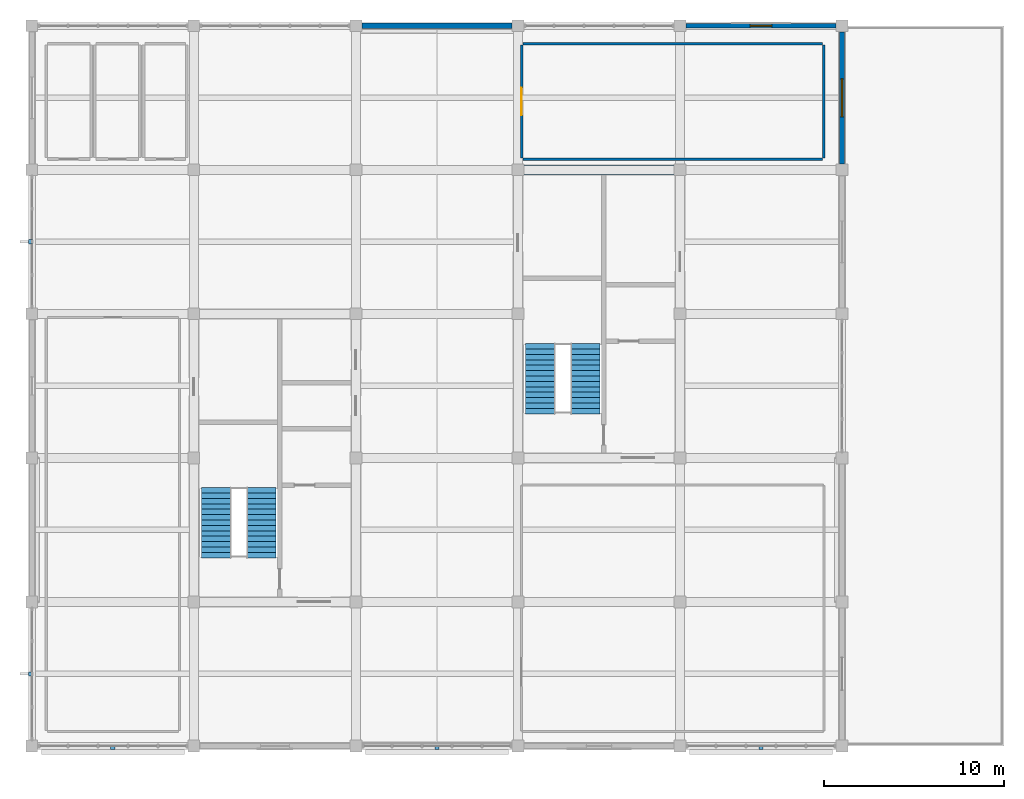
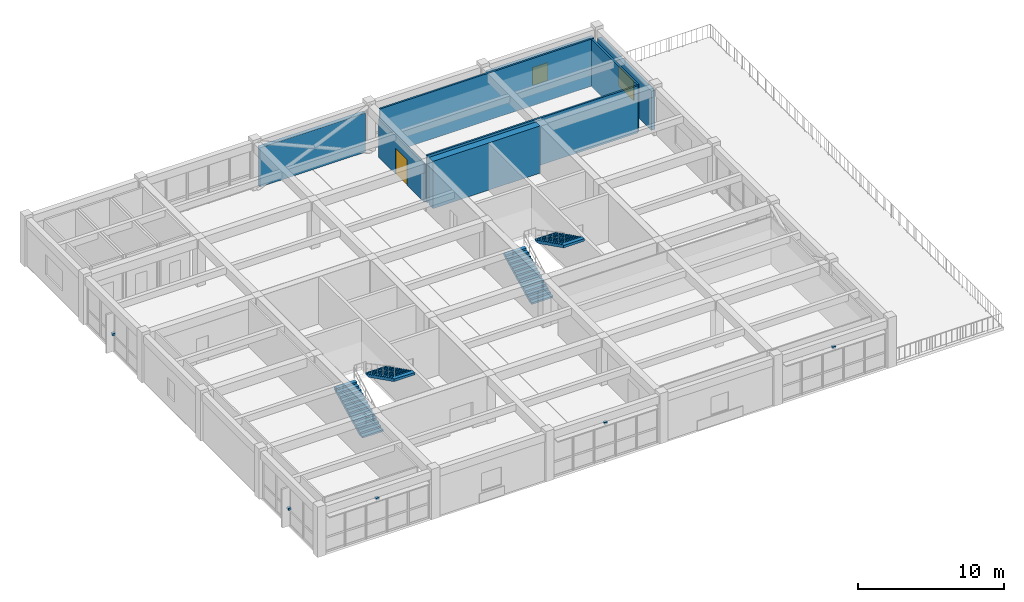
# One storey, part 10 of 12: 8 walls, 5 discrete accessories, 4 stair flights, 2 windows, 1 door, 3 openings, 2 elements without a shape of their own.
"""IFC4 building model written with IfcOpenShell, lengths in metres."""

from ifc_helpers import new_model, si_unit, direction, frame, frame_2d, origin, origin_2d, place, context, subcontext, project, spatial, polyline, rectangle, outline, extrude, material, layer, layer_set, type_object, element, fill, aggregate, save


model = new_model("IFC4")

# Units and contexts
model_context = context("Model", 3, precision=1e-05, world=origin(), true_north=direction((0.0, 1.0)))
body_context = subcontext(model_context, "Body", "Model", "MODEL_VIEW")
ifc_project = project(units=[si_unit("LENGTHUNIT", "METRE"), si_unit("AREAUNIT", "SQUARE_METRE"), si_unit("VOLUMEUNIT", "CUBIC_METRE"), si_unit("PLANEANGLEUNIT", "RADIAN"), si_unit("MASSUNIT", "GRAM", prefix="KILO")], contexts=[model_context])

# Site, building, storey
site_placement = place(None, origin())
site = spatial("IfcSite", under=ifc_project, at=site_placement, CompositionType="ELEMENT")
building_placement = place(site_placement, origin())
building = spatial("IfcBuilding", under=site, at=building_placement, Name="Zaverband Oceanarium and Marine Research Institute", CompositionType="ELEMENT")
storey_placement = place(building_placement, frame((0.0, 0.0, 68.699951171875)))
storey = spatial("IfcBuildingStorey", under=building, at=storey_placement, Name="L17", CompositionType="ELEMENT", Elevation=68.699951171875)

# Wall
ifc_material_1 = material(Name="Concrete C50/60", Category="concrete")
ifc_layer_1 = layer(ifc_material_1, 0.550048828125, Name="Concrete C50/60")
ifc_layer_set_1 = layer_set([ifc_layer_1], Name="Concrete C50/60")
wall_type_1 = type_object("IfcWallType", Name="CW-01", PredefinedType="SHEAR", material=ifc_layer_set_1)
wall_1_placement = place(storey_placement, frame((36.27490234375, 104.0, 0.0), z_axis=(0.0, 0.0, 1.0), x_axis=(1.0, 0.0, 0.0)))
element("IfcWall", 1, at=wall_1_placement, inside=storey, type_object=wall_type_1, Name="Structural shear wall CW-01", PredefinedType="SHEAR", context=body_context, shape_type="SweptSolid", body=[
    extrude(rectangle(XDim=8.4501953125, YDim=0.550048828125, at=frame_2d((4.22509765625, 0.0))), origin(), (0.0, 0.0, 1.0), 3.93994140625),
])

# Wall, opening, window
ifc_material_2 = material(Name="Concrete C40/50 precast", Category="concrete")
ifc_layer_2 = layer(ifc_material_2, 0.264892578125, Name="Concrete C40/50 precast")
ifc_layer_set_2 = layer_set([ifc_layer_2], Name="Concrete C40/50 precast")
wall_type_2 = type_object("IfcWallType", Name="EW-265", PredefinedType="STANDARD", material=ifc_layer_set_2)
wall_2_placement = place(storey_placement, frame((45.330078125, 112.0, 0.0), z_axis=(0.0, 0.0, 1.0), x_axis=(1.0, 0.0, 0.0)))
wall_2 = element("IfcWall", 2, at=wall_2_placement, inside=storey, type_object=wall_type_2, Name="Exterior infill wall EW-265", PredefinedType="STANDARD", context=body_context, shape_type="SweptSolid", body=[
    extrude(rectangle(XDim=8.33984375, YDim=0.264892578125, at=frame_2d((4.169921875, 0.0))), origin(), (0.0, 0.0, 1.0), 3.27001953125),
])
opening_1_placement = place(wall_2_placement, frame((3.570068359375, 0.0, 0.85009765625)))
opening_1 = element("IfcOpeningElement", 3, at=opening_1_placement, cuts=wall_2, Name="Opening WN-1200x1500", PredefinedType="OPENING", context=body_context, shape_type="SweptSolid", body=[
    extrude(rectangle(XDim=1.199951171875, YDim=1.5, at=frame_2d((0.60009765625, 0.75))), frame((0.0, 0.14453125, 0.0), z_axis=(0.0, -1.0, 0.0), x_axis=(1.0, 0.0, 0.0)), (0.0, 0.0, 1.0), 0.288818359375),
])
ifc_material_3 = material(Name="Thermally broken anodized aluminium and solar-control glass", Category="aluminium")
window_type_1 = type_object("IfcWindowType", Name="WN-1200x1500", PartitioningType="SINGLE_PANEL", PredefinedType="WINDOW", material=ifc_material_3)
window_1_placement = place(opening_1_placement, origin())
window_1 = element("IfcWindow", 4, at=window_1_placement, inside=storey, type_object=window_type_1, Name="Fixed / casement exterior window WN-1200x1500", OverallHeight=1.5, OverallWidth=1.199951171875, PartitioningType="SINGLE_PANEL", PredefinedType="WINDOW", context=body_context, shape_type="SweptSolid", body=[
    extrude(rectangle(XDim=1.199951171875, YDim=1.5, at=frame_2d((0.60009765625, 0.75))), frame((0.0, 0.030029296875, 0.0), z_axis=(0.0, -1.0, 0.0), x_axis=(1.0, 0.0, 0.0)), (0.0, 0.0, 1.0), 0.06005859375),
])
fill(opening_1, window_1)

# Wall
ifc_layer_3 = layer(ifc_material_2, 0.2900390625, Name="Concrete C40/50 precast")
ifc_layer_set_3 = layer_set([ifc_layer_3], Name="Concrete C40/50 precast")
wall_type_3 = type_object("IfcWallType", Name="EW-290", PredefinedType="STANDARD", material=ifc_layer_set_3)
wall_3_placement = place(storey_placement, frame((27.330078125, 112.0, 0.0), z_axis=(0.0, 0.0, 1.0), x_axis=(1.0, 0.0, 0.0)))
element("IfcWall", 5, at=wall_3_placement, inside=storey, type_object=wall_type_3, Name="Exterior infill wall EW-290", PredefinedType="STANDARD", context=body_context, shape_type="SweptSolid", body=[
    extrude(rectangle(XDim=8.33984375, YDim=0.2900390625, at=frame_2d((4.169921875, 0.0))), origin(), (0.0, 0.0, 1.0), 3.27001953125),
])

# Wall, opening, window
wall_4_placement = place(storey_placement, frame((54.0, 104.330078125, 0.0), z_axis=(0.0, 0.0, 1.0), x_axis=(0.0, 1.0, 0.0)))
wall_4 = element("IfcWall", 6, at=wall_4_placement, inside=storey, type_object=wall_type_3, Name="Exterior infill wall EW-290", PredefinedType="STANDARD", context=body_context, shape_type="SweptSolid", body=[
    extrude(rectangle(XDim=7.33984375, YDim=0.2900390625, at=frame_2d((3.669921875, 0.0))), origin(), (0.0, 0.0, 1.0), 3.27001953125),
])
opening_2_placement = place(wall_4_placement, frame((2.6201171875, 0.0, 0.85009765625)))
opening_2 = element("IfcOpeningElement", 7, at=opening_2_placement, cuts=wall_4, Name="Opening WN-2100x1650", PredefinedType="OPENING", context=body_context, shape_type="SweptSolid", body=[
    extrude(rectangle(XDim=2.10009765625, YDim=1.64990234375, at=frame_2d((1.050048828125, 0.824951171875))), frame((0.0, 0.156982421875, 0.0), z_axis=(0.0, -1.0, 0.0), x_axis=(1.0, 0.0, 0.0)), (0.0, 0.0, 1.0), 0.31396484375),
])
window_type_2 = type_object("IfcWindowType", Name="WN-2100x1650", PartitioningType="SINGLE_PANEL", PredefinedType="WINDOW", material=ifc_material_3)
window_2_placement = place(opening_2_placement, origin())
window_2 = element("IfcWindow", 8, at=window_2_placement, inside=storey, type_object=window_type_2, Name="Fixed / casement exterior window WN-2100x1650", OverallHeight=1.64990234375, OverallWidth=2.10009765625, PartitioningType="SINGLE_PANEL", PredefinedType="WINDOW", context=body_context, shape_type="SweptSolid", body=[
    extrude(rectangle(XDim=2.10009765625, YDim=1.64990234375, at=frame_2d((1.050048828125, 0.824951171875))), frame((0.0, 0.030029296875, 0.0), z_axis=(0.0, -1.0, 0.0), x_axis=(1.0, 0.0, 0.0)), (0.0, 0.0, 1.0), 0.06005859375),
])
fill(opening_2, window_2)

# Walls
ifc_material_4 = material(Name="Acoustic classroom partition")
ifc_layer_4 = layer(ifc_material_4, 0.139892578125, Name="Acoustic classroom partition")
ifc_layer_set_4 = layer_set([ifc_layer_4], Name="Acoustic classroom partition")
wall_type_4 = type_object("IfcWallType", Name="PT-140-CL", PredefinedType="PARTITIONING", material=ifc_layer_set_4)
for number, where, z_axis, x_axis, name in (
    (9, (36.27001953125, 104.60009765625, 0.0), (0.0, 0.0, 1.0), (1.0, 0.0, 0.0), "Acoustic partition PT-140-CL"),
    (10, (36.27001953125, 111.0, 0.0), (0.0, 0.0, 1.0), (1.0, 0.0, 0.0), "Acoustic partition PT-140-CL"),
):
    element("IfcWall", number, at=place(storey_placement, frame(where, z_axis=z_axis, x_axis=x_axis)), inside=storey, type_object=wall_type_4, Name=name, PredefinedType="PARTITIONING", context=body_context, shape_type="SweptSolid", body=[
        extrude(rectangle(XDim=16.659912109375, YDim=0.139892578125, at=frame_2d((8.330078125, 0.0))), origin(), (0.0, 0.0, 1.0), 3.93994140625),
    ])

# Wall, opening, door
wall_5_placement = place(storey_placement, frame((36.199951171875, 104.669921875, 0.0), z_axis=(0.0, 0.0, 1.0), x_axis=(0.0, 1.0, 0.0)))
wall_5 = element("IfcWall", 11, at=wall_5_placement, inside=storey, type_object=wall_type_4, Name="Acoustic partition PT-140-CL", PredefinedType="PARTITIONING", context=body_context, shape_type="SweptSolid", body=[
    extrude(rectangle(XDim=6.260009765625, YDim=0.139892578125, at=frame_2d((3.1298828125, 0.0))), origin(), (0.0, 0.0, 1.0), 3.18994140625),
])
opening_3_placement = place(wall_5_placement, frame((2.3701171875, 0.0, 0.0)))
opening_3 = element("IfcOpeningElement", 12, at=opening_3_placement, cuts=wall_5, Name="Opening ID-1520x2150", PredefinedType="OPENING", context=body_context, shape_type="SweptSolid", body=[
    extrude(rectangle(XDim=1.52001953125, YDim=2.14990234375, at=frame_2d((0.760009765625, 1.074951171875))), frame((0.0, 0.08203125, 0.0), z_axis=(0.0, -1.0, 0.0), x_axis=(1.0, 0.0, 0.0)), (0.0, 0.0, 1.0), 0.163818359375),
])
ifc_material_5 = material(Name="Hardwood-veneered acoustic timber", Category="wood")
door_type = type_object("IfcDoorType", Name="ID-1520x2150", OperationType="DOUBLE_DOOR_SINGLE_SWING", PredefinedType="DOOR", material=ifc_material_5)
door_placement = place(opening_3_placement, origin())
door = element("IfcDoor", 13, at=door_placement, inside=storey, type_object=door_type, Name="Seminar double swing door ID-1520x2150", OperationType="DOUBLE_DOOR_SINGLE_SWING", OverallHeight=2.14990234375, OverallWidth=1.52001953125, PredefinedType="DOOR", context=body_context, shape_type="SweptSolid", body=[
    extrude(rectangle(XDim=1.52001953125, YDim=2.14990234375, at=frame_2d((0.760009765625, 1.074951171875))), frame((0.0, 0.02490234375, 0.0), z_axis=(0.0, -1.0, 0.0), x_axis=(1.0, 0.0, 0.0)), (0.0, 0.0, 1.0), 0.050048828125),
])
fill(opening_3, door)

# Wall
wall_6_placement = place(storey_placement, frame((53.0, 104.669921875, 0.0), z_axis=(0.0, 0.0, 1.0), x_axis=(0.0, 1.0, 0.0)))
element("IfcWall", 14, at=wall_6_placement, inside=storey, type_object=wall_type_4, Name="Acoustic partition PT-140-CL", PredefinedType="PARTITIONING", context=body_context, shape_type="SweptSolid", body=[
    extrude(rectangle(XDim=6.260009765625, YDim=0.139892578125, at=frame_2d((3.1298828125, 0.0))), origin(), (0.0, 0.0, 1.0), 3.93994140625),
])

# Stair, stair flights
ifc_material_6 = material(Name="Concrete C40/50", Category="concrete")
stair_type = type_object("IfcStairType", Name="STR-TWR-1650-4200", PredefinedType="HALF_TURN_STAIR", material=ifc_material_6)
stair_1_placement = place(storey_placement, origin())
stair_1 = element("IfcStair", 15, at=stair_1_placement, inside=storey, type_object=stair_type, Name="Exit Stair ST-01 (L17)", PredefinedType="HALF_TURN_STAIR")
stair_flight_type = type_object("IfcStairFlightType", Name="STR-TWR-1650-4200-FL", PredefinedType="STRAIGHT", material=ifc_material_6)
stair_flight_1_placement = place(storey_placement, frame((19.2548828125, 82.449951171875, 0.0), z_axis=(0.0, 0.0, 1.0), x_axis=(0.0, 1.0, 0.0)))
stair_flight_1 = element("IfcStairFlight", 16, at=stair_flight_1_placement, type_object=stair_flight_type, Name="Reinforced concrete stair flight ST-01-F1", NumberOfRisers=14, NumberOfTreads=13, PredefinedType="STRAIGHT", RiserHeight=0.15, TreadLength=0.3, context=body_context, shape_type="SweptSolid", body=[
    extrude(outline(polyline([(0.0, 0.0), (0.0, 0.14990234375), (0.300048828125, 0.14990234375), (0.300048828125, 0.300048828125), (0.60009765625, 0.300048828125), (0.60009765625, 0.449951171875), (0.89990234375, 0.449951171875), (0.89990234375, 0.60009765625), (1.199951171875, 0.60009765625), (1.199951171875, 0.75), (1.5, 0.75), (1.5, 0.89990234375), (1.800048828125, 0.89990234375), (1.800048828125, 1.050048828125), (2.10009765625, 1.050048828125), (2.10009765625, 1.199951171875), (2.39990234375, 1.199951171875), (2.39990234375, 1.35009765625), (2.699951171875, 1.35009765625), (2.699951171875, 1.5), (3.0, 1.5), (3.0, 1.64990234375), (3.300048828125, 1.64990234375), (3.300048828125, 1.800048828125), (3.60009765625, 1.800048828125), (3.60009765625, 1.949951171875), (3.89990234375, 1.949951171875), (3.89990234375, 2.10009765625), (3.89990234375, 1.748779296875), (0.40234375, 0.0), (0.0, 0.0)])), frame((0.0, 0.824951171875, 0.0), z_axis=(0.0, -1.0, 0.0), x_axis=(1.0, 0.0, 0.0)), (0.0, 0.0, 1.0), 1.64990234375),
])
stair_flight_2_placement = place(storey_placement, frame((21.7451171875, 86.35009765625, 2.10009765625), z_axis=(0.0, 0.0, 1.0), x_axis=(0.0, -1.0, 0.0)))
stair_flight_2 = element("IfcStairFlight", 17, at=stair_flight_2_placement, type_object=stair_flight_type, Name="Reinforced concrete stair flight ST-01-F2", NumberOfRisers=14, NumberOfTreads=13, PredefinedType="STRAIGHT", RiserHeight=0.15, TreadLength=0.3, context=body_context, shape_type="SweptSolid", body=[
    extrude(outline(polyline([(0.0, 0.0), (0.0, 0.14990234375), (0.300048828125, 0.14990234375), (0.300048828125, 0.300048828125), (0.60009765625, 0.300048828125), (0.60009765625, 0.449951171875), (0.89990234375, 0.449951171875), (0.89990234375, 0.60009765625), (1.199951171875, 0.60009765625), (1.199951171875, 0.75), (1.5, 0.75), (1.5, 0.89990234375), (1.800048828125, 0.89990234375), (1.800048828125, 1.050048828125), (2.10009765625, 1.050048828125), (2.10009765625, 1.199951171875), (2.39990234375, 1.199951171875), (2.39990234375, 1.35009765625), (2.699951171875, 1.35009765625), (2.699951171875, 1.5), (3.0, 1.5), (3.0, 1.64990234375), (3.300048828125, 1.64990234375), (3.300048828125, 1.800048828125), (3.60009765625, 1.800048828125), (3.60009765625, 1.949951171875), (3.89990234375, 1.949951171875), (3.89990234375, 2.10009765625), (3.89990234375, 1.748779296875), (0.40234375, 0.0), (0.0, 0.0)])), frame((0.0, 0.824951171875, 0.0), z_axis=(0.0, -1.0, 0.0), x_axis=(1.0, 0.0, 0.0)), (0.0, 0.0, 1.0), 1.64990234375),
])
aggregate(stair_1, [stair_flight_1, stair_flight_2])

stair_2_placement = place(storey_placement, origin())
stair_2 = element("IfcStair", 18, at=stair_2_placement, inside=storey, type_object=stair_type, Name="Exit Stair ST-02 (L17)", PredefinedType="HALF_TURN_STAIR")
stair_flight_3_placement = place(storey_placement, frame((37.2548828125, 90.449951171875, 0.0), z_axis=(0.0, 0.0, 1.0), x_axis=(0.0, 1.0, 0.0)))
stair_flight_3 = element("IfcStairFlight", 19, at=stair_flight_3_placement, type_object=stair_flight_type, Name="Reinforced concrete stair flight ST-02-F1", NumberOfRisers=14, NumberOfTreads=13, PredefinedType="STRAIGHT", RiserHeight=0.15, TreadLength=0.3, context=body_context, shape_type="SweptSolid", body=[
    extrude(outline(polyline([(0.0, 0.0), (0.0, 0.14990234375), (0.300048828125, 0.14990234375), (0.300048828125, 0.300048828125), (0.60009765625, 0.300048828125), (0.60009765625, 0.449951171875), (0.89990234375, 0.449951171875), (0.89990234375, 0.60009765625), (1.199951171875, 0.60009765625), (1.199951171875, 0.75), (1.5, 0.75), (1.5, 0.89990234375), (1.800048828125, 0.89990234375), (1.800048828125, 1.050048828125), (2.10009765625, 1.050048828125), (2.10009765625, 1.199951171875), (2.39990234375, 1.199951171875), (2.39990234375, 1.35009765625), (2.699951171875, 1.35009765625), (2.699951171875, 1.5), (3.0, 1.5), (3.0, 1.64990234375), (3.300048828125, 1.64990234375), (3.300048828125, 1.800048828125), (3.60009765625, 1.800048828125), (3.60009765625, 1.949951171875), (3.89990234375, 1.949951171875), (3.89990234375, 2.10009765625), (3.89990234375, 1.748779296875), (0.40234375, 0.0), (0.0, 0.0)])), frame((0.0, 0.824951171875, 0.0), z_axis=(0.0, -1.0, 0.0), x_axis=(1.0, 0.0, 0.0)), (0.0, 0.0, 1.0), 1.64990234375),
])
stair_flight_4_placement = place(storey_placement, frame((39.7451171875, 94.35009765625, 2.10009765625), z_axis=(0.0, 0.0, 1.0), x_axis=(0.0, -1.0, 0.0)))
stair_flight_4 = element("IfcStairFlight", 20, at=stair_flight_4_placement, type_object=stair_flight_type, Name="Reinforced concrete stair flight ST-02-F2", NumberOfRisers=14, NumberOfTreads=13, PredefinedType="STRAIGHT", RiserHeight=0.15, TreadLength=0.3, context=body_context, shape_type="SweptSolid", body=[
    extrude(outline(polyline([(0.0, 0.0), (0.0, 0.14990234375), (0.300048828125, 0.14990234375), (0.300048828125, 0.300048828125), (0.60009765625, 0.300048828125), (0.60009765625, 0.449951171875), (0.89990234375, 0.449951171875), (0.89990234375, 0.60009765625), (1.199951171875, 0.60009765625), (1.199951171875, 0.75), (1.5, 0.75), (1.5, 0.89990234375), (1.800048828125, 0.89990234375), (1.800048828125, 1.050048828125), (2.10009765625, 1.050048828125), (2.10009765625, 1.199951171875), (2.39990234375, 1.199951171875), (2.39990234375, 1.35009765625), (2.699951171875, 1.35009765625), (2.699951171875, 1.5), (3.0, 1.5), (3.0, 1.64990234375), (3.300048828125, 1.64990234375), (3.300048828125, 1.800048828125), (3.60009765625, 1.800048828125), (3.60009765625, 1.949951171875), (3.89990234375, 1.949951171875), (3.89990234375, 2.10009765625), (3.89990234375, 1.748779296875), (0.40234375, 0.0), (0.0, 0.0)])), frame((0.0, 0.824951171875, 0.0), z_axis=(0.0, -1.0, 0.0), x_axis=(1.0, 0.0, 0.0)), (0.0, 0.0, 1.0), 1.64990234375),
])
aggregate(stair_2, [stair_flight_3, stair_flight_4])

# Discrete accessories
ifc_material_7 = material(Name="Steel S355", Category="steel")
ifc_layer_5 = layer(ifc_material_7, 0.179931640625, Name="Steel S355")
ifc_layer_set_5 = layer_set([ifc_layer_5], Name="Steel S355")
discrete_accessory_type = type_object("IfcDiscreteAccessoryType", Name="BRK-STL-200", PredefinedType="BRACKET", material=ifc_layer_set_5)
for number, where, z_axis, x_axis, name in (
    (21, (13.5, 71.919921875, 3.0400390625), (0.0, 0.0, 1.0), (1.0, 0.0, 0.0), "Galvanized steel facade fin structural bracket BRK-STL-200"),
    (22, (31.5, 71.919921875, 3.0400390625), (0.0, 0.0, 1.0), (1.0, 0.0, 0.0), "Galvanized steel facade fin structural bracket BRK-STL-200"),
    (23, (49.5, 71.919921875, 3.0400390625), (0.0, 0.0, 1.0), (1.0, 0.0, 0.0), "Galvanized steel facade fin structural bracket BRK-STL-200"),
    (24, (8.919921875, 76.0, 1.3203125), (0.0, 0.0, 1.0), (1.0, 0.0, 0.0), "Galvanized steel facade fin structural bracket BRK-STL-200"),
    (25, (8.919921875, 100.0, 1.3203125), (0.0, 0.0, 1.0), (1.0, 0.0, 0.0), "Galvanized steel facade fin structural bracket BRK-STL-200"),
):
    element("IfcDiscreteAccessory", number, at=place(storey_placement, frame(where, z_axis=z_axis, x_axis=x_axis)), inside=storey, type_object=discrete_accessory_type, Name=name, PredefinedType="BRACKET", context=body_context, shape_type="SweptSolid", body=[
        extrude(rectangle(XDim=0.239990234375, YDim=0.239990234375, at=origin_2d()), origin(), (0.0, 0.0, 1.0), 0.179931640625),
    ])

save(model, "model.ifc")
